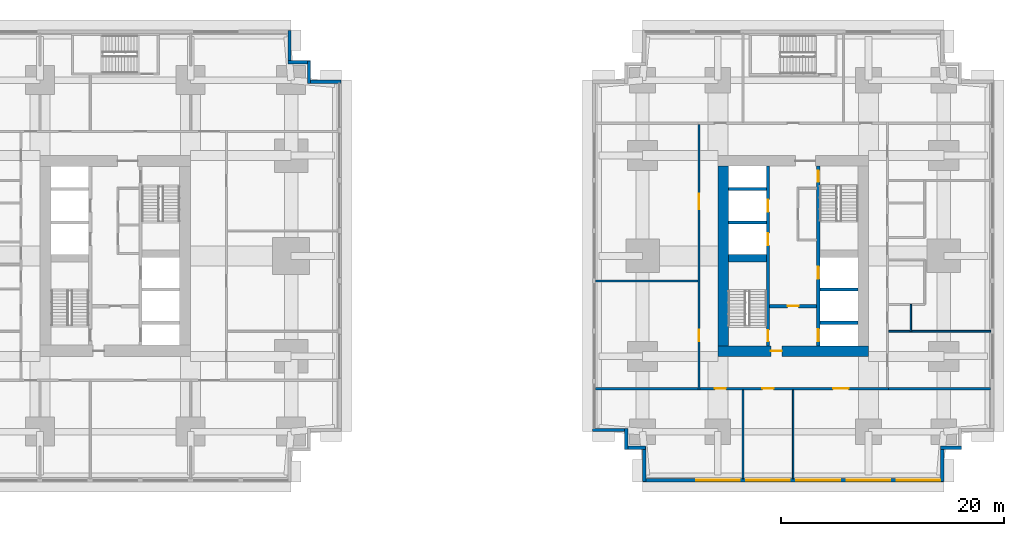
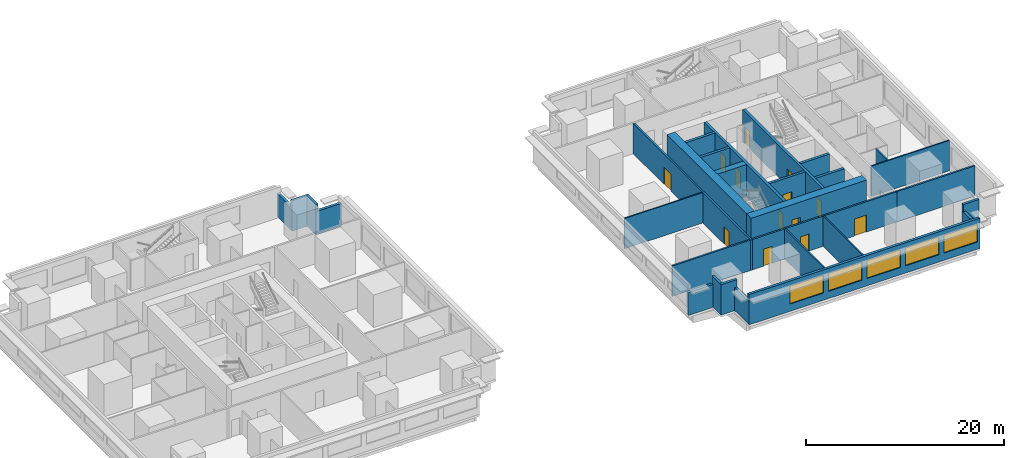
# One storey, part 6 of 11: 30 walls, 13 doors, 5 windows, 18 openings.
"""IFC4 building model written with IfcOpenShell, lengths in metres."""

from ifc_helpers import new_model, si_unit, direction, frame, frame_2d, origin, place, context, subcontext, project, spatial, rectangle, extrude, material, layer, layer_set, type_object, element, fill, save


model = new_model("IFC4")

# Units and contexts
model_context = context("Model", 3, precision=1e-05, world=origin(), true_north=direction((0.0, 1.0)))
body_context = subcontext(model_context, "Body", "Model", "MODEL_VIEW")
ifc_project = project(units=[si_unit("LENGTHUNIT", "METRE"), si_unit("AREAUNIT", "SQUARE_METRE"), si_unit("VOLUMEUNIT", "CUBIC_METRE"), si_unit("PLANEANGLEUNIT", "RADIAN"), si_unit("MASSUNIT", "GRAM", prefix="KILO")], contexts=[model_context])

# Site, building, storey
site_placement = place(None, origin())
site = spatial("IfcSite", under=ifc_project, at=site_placement, CompositionType="ELEMENT")
building_placement = place(site_placement, origin())
building = spatial("IfcBuilding", under=site, at=building_placement, Name="Namib Vertical Campus", CompositionType="ELEMENT")
storey_placement = place(building_placement, frame((0.0, 0.0, 37.0)))
storey = spatial("IfcBuildingStorey", under=building, at=storey_placement, Name="L08", CompositionType="ELEMENT", Elevation=37.0)

# Wall, openings, doors
ifc_material_1 = material(Name="Concrete C60/75", Category="concrete")
ifc_layer_1 = layer(ifc_material_1, 0.300048828125)
ifc_layer_set_1 = layer_set([ifc_layer_1], Name="Concrete C60/75")
wall_type_1 = type_object("IfcWallType", Name="Core inner wall 300", PredefinedType="SHEAR", material=ifc_layer_set_1)
wall_1_placement = place(storey_placement, frame((78.75, 12.199951171875, 0.0), z_axis=(0.0, 0.0, 1.0), x_axis=(0.0, 1.0, 0.0)))
wall_1 = element("IfcWall", 1, at=wall_1_placement, inside=storey, type_object=wall_type_1, Name="Core inner wall B L08 W1", PredefinedType="SHEAR", context=body_context, shape_type="SweptSolid", body=[
    extrude(rectangle(XDim=16.10009765625, YDim=0.300048828125, at=frame_2d((8.050048828125, 0.0))), origin(), (0.0, 0.0, 1.0), 4.0),
])
opening_1_placement = place(wall_1_placement, frame((0.39990234375, 0.0, 0.0)))
opening_1 = element("IfcOpeningElement", 2, at=opening_1_placement, cuts=wall_1, Name="Opening FD1", PredefinedType="OPENING", context=body_context, shape_type="SweptSolid", body=[
    extrude(rectangle(XDim=1.0, YDim=2.10009765625, at=frame_2d((0.5, 1.050048828125))), frame((0.0, 0.159912109375, 0.0), z_axis=(0.0, -1.0, 0.0), x_axis=(1.0, 0.0, 0.0)), (0.0, 0.0, 1.0), 0.320068359375),
])
opening_2_placement = place(wall_1_placement, frame((9.0, 0.0, 0.0)))
opening_2 = element("IfcOpeningElement", 3, at=opening_2_placement, cuts=wall_1, Name="Opening LD1", PredefinedType="OPENING", context=body_context, shape_type="SweptSolid", body=[
    extrude(rectangle(XDim=1.10009765625, YDim=2.10009765625, at=frame_2d((0.550048828125, 1.050048828125))), frame((0.0, 0.159912109375, 0.0), z_axis=(0.0, -1.0, 0.0), x_axis=(1.0, 0.0, 0.0)), (0.0, 0.0, 1.0), 0.320068359375),
])
opening_3_placement = place(wall_1_placement, frame((12.0, 0.0, 0.0)))
opening_3 = element("IfcOpeningElement", 4, at=opening_3_placement, cuts=wall_1, Name="Opening LD1", PredefinedType="OPENING", context=body_context, shape_type="SweptSolid", body=[
    extrude(rectangle(XDim=1.10009765625, YDim=2.10009765625, at=frame_2d((0.550048828125, 1.050048828125))), frame((0.0, 0.159912109375, 0.0), z_axis=(0.0, -1.0, 0.0), x_axis=(1.0, 0.0, 0.0)), (0.0, 0.0, 1.0), 0.320068359375),
])
ifc_material_2 = material(Name="Steel fire door", Category="steel")
door_type_1 = type_object("IfcDoorType", Name="Fire door 1000x2100", OperationType="SINGLE_SWING_RIGHT", PredefinedType="DOOR", material=ifc_material_2)
door_1_placement = place(opening_1_placement, origin())
door_1 = element("IfcDoor", 5, at=door_1_placement, inside=storey, type_object=door_type_1, Name="Stair door FD1 B L08 S1", OperationType="SINGLE_SWING_LEFT", OverallHeight=2.10009765625, OverallWidth=1.0, PredefinedType="DOOR", context=body_context, shape_type="SweptSolid", body=[
    extrude(rectangle(XDim=1.0, YDim=2.10009765625, at=frame_2d((0.5, 1.050048828125))), frame((0.0, 0.02490234375, 0.0), z_axis=(0.0, -1.0, 0.0), x_axis=(1.0, 0.0, 0.0)), (0.0, 0.0, 1.0), 0.050048828125),
])
fill(opening_1, door_1)
ifc_material_3 = material(Name="Stainless steel lift door", Category="steel")
door_type_2 = type_object("IfcDoorType", Name="Lift landing door 1100x2100", OperationType="DOUBLE_DOOR_SLIDING", PredefinedType="DOOR", material=ifc_material_3)
door_2_placement = place(opening_2_placement, origin())
door_2 = element("IfcDoor", 6, at=door_2_placement, inside=storey, type_object=door_type_2, Name="Lift landing door LD1 B-P1 L08", OperationType="DOUBLE_DOOR_SLIDING", OverallHeight=2.10009765625, OverallWidth=1.10009765625, PredefinedType="DOOR", context=body_context, shape_type="SweptSolid", body=[
    extrude(rectangle(XDim=1.10009765625, YDim=2.10009765625, at=frame_2d((0.550048828125, 1.050048828125))), frame((0.0, 0.02490234375, 0.0), z_axis=(0.0, -1.0, 0.0), x_axis=(1.0, 0.0, 0.0)), (0.0, 0.0, 1.0), 0.050048828125),
])
fill(opening_2, door_2)
door_3_placement = place(opening_3_placement, origin())
door_3 = element("IfcDoor", 7, at=door_3_placement, inside=storey, type_object=door_type_2, Name="Lift landing door LD1 B-P2 L08", OperationType="DOUBLE_DOOR_SLIDING", OverallHeight=2.10009765625, OverallWidth=1.10009765625, PredefinedType="DOOR", context=body_context, shape_type="SweptSolid", body=[
    extrude(rectangle(XDim=1.10009765625, YDim=2.10009765625, at=frame_2d((0.550048828125, 1.050048828125))), frame((0.0, 0.02490234375, 0.0), z_axis=(0.0, -1.0, 0.0), x_axis=(1.0, 0.0, 0.0)), (0.0, 0.0, 1.0), 0.050048828125),
])
fill(opening_3, door_3)

wall_2_placement = place(storey_placement, frame((83.25, 12.199951171875, 0.0), z_axis=(0.0, 0.0, 1.0), x_axis=(0.0, 1.0, 0.0)))
wall_2 = element("IfcWall", 8, at=wall_2_placement, inside=storey, type_object=wall_type_1, Name="Core inner wall B L08 W2", PredefinedType="SHEAR", context=body_context, shape_type="SweptSolid", body=[
    extrude(rectangle(XDim=16.10009765625, YDim=0.300048828125, at=frame_2d((8.050048828125, 0.0))), origin(), (0.0, 0.0, 1.0), 4.0),
])
opening_4_placement = place(wall_2_placement, frame((14.699951171875, 0.0, 0.0)))
opening_4 = element("IfcOpeningElement", 9, at=opening_4_placement, cuts=wall_2, Name="Opening FD1", PredefinedType="OPENING", context=body_context, shape_type="SweptSolid", body=[
    extrude(rectangle(XDim=1.0, YDim=2.10009765625, at=frame_2d((0.5, 1.050048828125))), frame((0.0, 0.159912109375, 0.0), z_axis=(0.0, -1.0, 0.0), x_axis=(1.0, 0.0, 0.0)), (0.0, 0.0, 1.0), 0.320068359375),
])
opening_5_placement = place(wall_2_placement, frame((0.39990234375, 0.0, 0.0)))
opening_5 = element("IfcOpeningElement", 10, at=opening_5_placement, cuts=wall_2, Name="Opening LD1", PredefinedType="OPENING", context=body_context, shape_type="SweptSolid", body=[
    extrude(rectangle(XDim=1.10009765625, YDim=2.10009765625, at=frame_2d((0.550048828125, 1.050048828125))), frame((0.0, 0.159912109375, 0.0), z_axis=(0.0, -1.0, 0.0), x_axis=(1.0, 0.0, 0.0)), (0.0, 0.0, 1.0), 0.320068359375),
])
opening_6_placement = place(wall_2_placement, frame((6.0, 0.0, 0.0)))
opening_6 = element("IfcOpeningElement", 11, at=opening_6_placement, cuts=wall_2, Name="Opening LD1", PredefinedType="OPENING", context=body_context, shape_type="SweptSolid", body=[
    extrude(rectangle(XDim=1.10009765625, YDim=2.10009765625, at=frame_2d((0.550048828125, 1.050048828125))), frame((0.0, 0.159912109375, 0.0), z_axis=(0.0, -1.0, 0.0), x_axis=(1.0, 0.0, 0.0)), (0.0, 0.0, 1.0), 0.320068359375),
])
door_4_placement = place(opening_4_placement, frame((1.0, 0.0, 0.0), z_axis=(0.0, 0.0, 1.0), x_axis=(-1.0, 0.0, 0.0)))
door_4 = element("IfcDoor", 12, at=door_4_placement, inside=storey, type_object=door_type_1, Name="Stair door FD1 B L08 S2", OperationType="SINGLE_SWING_LEFT", OverallHeight=2.10009765625, OverallWidth=1.0, PredefinedType="DOOR", context=body_context, shape_type="SweptSolid", body=[
    extrude(rectangle(XDim=1.0, YDim=2.10009765625, at=frame_2d((0.5, 1.050048828125))), frame((0.0, 0.02490234375, 0.0), z_axis=(0.0, -1.0, 0.0), x_axis=(1.0, 0.0, 0.0)), (0.0, 0.0, 1.0), 0.050048828125),
])
fill(opening_4, door_4)
door_5_placement = place(opening_5_placement, origin())
door_5 = element("IfcDoor", 13, at=door_5_placement, inside=storey, type_object=door_type_2, Name="Lift landing door LD1 B-FL1 L08", OperationType="DOUBLE_DOOR_SLIDING", OverallHeight=2.10009765625, OverallWidth=1.10009765625, PredefinedType="DOOR", context=body_context, shape_type="SweptSolid", body=[
    extrude(rectangle(XDim=1.10009765625, YDim=2.10009765625, at=frame_2d((0.550048828125, 1.050048828125))), frame((0.0, 0.02490234375, 0.0), z_axis=(0.0, -1.0, 0.0), x_axis=(1.0, 0.0, 0.0)), (0.0, 0.0, 1.0), 0.050048828125),
])
fill(opening_5, door_5)
door_6_placement = place(opening_6_placement, origin())
door_6 = element("IfcDoor", 14, at=door_6_placement, inside=storey, type_object=door_type_2, Name="Lift landing door LD1 B-P5 L08", OperationType="DOUBLE_DOOR_SLIDING", OverallHeight=2.10009765625, OverallWidth=1.10009765625, PredefinedType="DOOR", context=body_context, shape_type="SweptSolid", body=[
    extrude(rectangle(XDim=1.10009765625, YDim=2.10009765625, at=frame_2d((0.550048828125, 1.050048828125))), frame((0.0, 0.02490234375, 0.0), z_axis=(0.0, -1.0, 0.0), x_axis=(1.0, 0.0, 0.0)), (0.0, 0.0, 1.0), 0.050048828125),
])
fill(opening_6, door_6)

# Wall, opening, door
wall_3_placement = place(storey_placement, frame((78.89990234375, 15.75, 0.0), z_axis=(0.0, 0.0, 1.0), x_axis=(1.0, 0.0, 0.0)))
wall_3 = element("IfcWall", 15, at=wall_3_placement, inside=storey, type_object=wall_type_1, Name="Core inner wall B L08 W4", PredefinedType="SHEAR", context=body_context, shape_type="SweptSolid", body=[
    extrude(rectangle(XDim=4.2001953125, YDim=0.300048828125, at=frame_2d((2.10009765625, 0.0))), origin(), (0.0, 0.0, 1.0), 4.0),
])
opening_7_placement = place(wall_3_placement, frame((1.60009765625, 0.0, 0.0)))
opening_7 = element("IfcOpeningElement", 16, at=opening_7_placement, cuts=wall_3, Name="Opening FD5", PredefinedType="OPENING", context=body_context, shape_type="SweptSolid", body=[
    extrude(rectangle(XDim=1.0, YDim=2.10009765625, at=frame_2d((0.5, 1.050048828125))), frame((0.0, 0.159912109375, 0.0), z_axis=(0.0, -1.0, 0.0), x_axis=(1.0, 0.0, 0.0)), (0.0, 0.0, 1.0), 0.320068359375),
])
ifc_material_4 = material(Name="Steel fire door", Category="steel")
door_type_3 = type_object("IfcDoorType", Name="Fire door 1000x2100 120 min", OperationType="SINGLE_SWING_RIGHT", PredefinedType="DOOR", material=ifc_material_4)
door_7_placement = place(opening_7_placement, frame((1.0, 0.0, 0.0), z_axis=(0.0, 0.0, 1.0), x_axis=(-1.0, 0.0, 0.0)))
door_7 = element("IfcDoor", 17, at=door_7_placement, inside=storey, type_object=door_type_3, Name="Lobby door FD5 B L08", OperationType="SINGLE_SWING_RIGHT", OverallHeight=2.10009765625, OverallWidth=1.0, PredefinedType="DOOR", context=body_context, shape_type="SweptSolid", body=[
    extrude(rectangle(XDim=1.0, YDim=2.10009765625, at=frame_2d((0.5, 1.050048828125))), frame((0.0, 0.02490234375, 0.0), z_axis=(0.0, -1.0, 0.0), x_axis=(1.0, 0.0, 0.0)), (0.0, 0.0, 1.0), 0.050048828125),
])
fill(opening_7, door_7)

# Walls
for number, where, z_axis, x_axis, name in (
    (18, (83.39990234375, 14.25, 0.0), (0.0, 0.0, 1.0), (1.0, 0.0, 0.0), "Core inner wall B L08 W5"),
    (19, (83.39990234375, 17.25, 0.0), (0.0, 0.0, 1.0), (1.0, 0.0, 0.0), "Core inner wall B L08 W6"),
    (20, (75.199951171875, 23.25, 0.0), (0.0, 0.0, 1.0), (1.0, 0.0, 0.0), "Core inner wall B L08 W8"),
    (21, (75.199951171875, 26.25, 0.0), (0.0, 0.0, 1.0), (1.0, 0.0, 0.0), "Core inner wall B L08 W9"),
):
    element("IfcWall", number, at=place(storey_placement, frame(where, z_axis=z_axis, x_axis=x_axis)), inside=storey, type_object=wall_type_1, Name=name, PredefinedType="SHEAR", context=body_context, shape_type="SweptSolid", body=[
        extrude(rectangle(XDim=3.400146484375, YDim=0.300048828125, at=frame_2d((1.7001953125, 0.0))), origin(), (0.0, 0.0, 1.0), 4.0),
    ])
ifc_material_5 = material(Name="Concrete C60/75", Category="concrete")
ifc_layer_2 = layer(ifc_material_5, 0.699951171875)
ifc_layer_set_2 = layer_set([ifc_layer_2], Name="Concrete C60/75")
wall_type_2 = type_object("IfcWallType", Name="Core shear wall 700", PredefinedType="SHEAR", material=ifc_layer_set_2)
wall_4_placement = place(storey_placement, frame((75.199951171875, 20.050048828125, 0.0), z_axis=(0.0, 0.0, 1.0), x_axis=(1.0, 0.0, 0.0)))
element("IfcWall", 22, at=wall_4_placement, inside=storey, type_object=wall_type_2, Name="Core shear wall B L08 W3", PredefinedType="SHEAR", context=body_context, shape_type="SweptSolid", body=[
    extrude(rectangle(XDim=3.400146484375, YDim=0.699951171875, at=frame_2d((1.7001953125, 0.0))), origin(), (0.0, 0.0, 1.0), 4.0),
])

# Wall, opening, door
ifc_material_6 = material(Name="Concrete C60/75", Category="concrete")
ifc_layer_3 = layer(ifc_material_6, 0.949951171875)
ifc_layer_set_3 = layer_set([ifc_layer_3], Name="Concrete C60/75")
wall_type_3 = type_object("IfcWallType", Name="Core wall 950", PredefinedType="SHEAR", material=ifc_layer_set_3)
wall_5_placement = place(storey_placement, frame((74.25, 11.72509765625, 0.0), z_axis=(0.0, 0.0, 1.0), x_axis=(1.0, 0.0, 0.0)))
wall_5 = element("IfcWall", 23, at=wall_5_placement, inside=storey, type_object=wall_type_3, Name="Core wall B L08 1", PredefinedType="SHEAR", context=body_context, shape_type="SweptSolid", body=[
    extrude(rectangle(XDim=13.5, YDim=0.949951171875, at=frame_2d((6.75, 0.0))), origin(), (0.0, 0.0, 1.0), 4.0),
])
opening_8_placement = place(wall_5_placement, frame((4.75, 0.0, 0.0)))
opening_8 = element("IfcOpeningElement", 24, at=opening_8_placement, cuts=wall_5, Name="Opening FD5", PredefinedType="OPENING", context=body_context, shape_type="SweptSolid", body=[
    extrude(rectangle(XDim=1.0, YDim=2.10009765625, at=frame_2d((0.5, 1.050048828125))), frame((0.0, 0.48486328125, 0.0), z_axis=(0.0, -1.0, 0.0), x_axis=(1.0, 0.0, 0.0)), (0.0, 0.0, 1.0), 0.969970703125),
])
door_8_placement = place(opening_8_placement, origin())
door_8 = element("IfcDoor", 25, at=door_8_placement, inside=storey, type_object=door_type_3, Name="Firefighting lobby door FD5 B L08", OperationType="SINGLE_SWING_LEFT", OverallHeight=2.10009765625, OverallWidth=1.0, PredefinedType="DOOR", context=body_context, shape_type="SweptSolid", body=[
    extrude(rectangle(XDim=1.0, YDim=2.10009765625, at=frame_2d((0.5, 1.050048828125))), frame((0.0, 0.02490234375, 0.0), z_axis=(0.0, -1.0, 0.0), x_axis=(1.0, 0.0, 0.0)), (0.0, 0.0, 1.0), 0.050048828125),
])
fill(opening_8, door_8)

# Wall
wall_6_placement = place(storey_placement, frame((74.72509765625, 28.300048828125, 0.0), z_axis=(0.0, 0.0, 1.0), x_axis=(0.0, -1.0, 0.0)))
element("IfcWall", 26, at=wall_6_placement, inside=storey, type_object=wall_type_3, Name="Core wall B L08 4", PredefinedType="SHEAR", context=body_context, shape_type="SweptSolid", body=[
    extrude(rectangle(XDim=16.10009765625, YDim=0.949951171875, at=frame_2d((8.050048828125, 0.0))), origin(), (0.0, 0.0, 1.0), 4.0),
])

# Wall, openings, doors
ifc_material_7 = material(Name="Concrete masonry", Category="masonry")
ifc_layer_4 = layer(ifc_material_7, 0.199951171875)
ifc_layer_set_4 = layer_set([ifc_layer_4], Name="Corridor wall 200")
wall_type_4 = type_object("IfcWallType", Name="Corridor wall 200", PredefinedType="SOLIDWALL", material=ifc_layer_set_4)
wall_7_placement = place(storey_placement, frame((72.64990234375, 8.35009765625, 0.0), z_axis=(0.0, 0.0, 1.0), x_axis=(1.0, 0.0, 0.0)))
wall_7 = element("IfcWall", 27, at=wall_7_placement, inside=storey, type_object=wall_type_4, Name="Corridor wall B L08 CS", PredefinedType="SOLIDWALL", context=body_context, shape_type="SweptSolid", body=[
    extrude(rectangle(XDim=16.900146484375, YDim=0.199951171875, at=frame_2d((8.4501953125, 0.0))), origin(), (0.0, 0.0, 1.0), 3.75),
])
opening_9_placement = place(wall_7_placement, frame((1.324951171875, 0.0, 0.0)))
opening_9 = element("IfcOpeningElement", 28, at=opening_9_placement, cuts=wall_7, Name="Opening CD1", PredefinedType="OPENING", context=body_context, shape_type="SweptSolid", body=[
    extrude(rectangle(XDim=1.0, YDim=2.10009765625, at=frame_2d((0.5, 1.050048828125))), frame((0.0, 0.10986328125, 0.0), z_axis=(0.0, -1.0, 0.0), x_axis=(1.0, 0.0, 0.0)), (0.0, 0.0, 1.0), 0.219970703125),
])
opening_10_placement = place(wall_7_placement, frame((5.60009765625, 0.0, 0.0)))
opening_10 = element("IfcOpeningElement", 29, at=opening_10_placement, cuts=wall_7, Name="Opening CD1", PredefinedType="OPENING", context=body_context, shape_type="SweptSolid", body=[
    extrude(rectangle(XDim=1.0, YDim=2.10009765625, at=frame_2d((0.5, 1.050048828125))), frame((0.0, 0.10986328125, 0.0), z_axis=(0.0, -1.0, 0.0), x_axis=(1.0, 0.0, 0.0)), (0.0, 0.0, 1.0), 0.219970703125),
])
opening_11_placement = place(wall_7_placement, frame((11.925048828125, 0.0, 0.0)))
opening_11 = element("IfcOpeningElement", 30, at=opening_11_placement, cuts=wall_7, Name="Opening LB1", PredefinedType="OPENING", context=body_context, shape_type="SweptSolid", body=[
    extrude(rectangle(XDim=1.39990234375, YDim=2.10009765625, at=frame_2d((0.699951171875, 1.050048828125))), frame((0.0, 0.10986328125, 0.0), z_axis=(0.0, -1.0, 0.0), x_axis=(1.0, 0.0, 0.0)), (0.0, 0.0, 1.0), 0.219970703125),
])
ifc_material_8 = material(Name="Timber fire door leaf", Category="wood")
door_type_4 = type_object("IfcDoorType", Name="Corridor door 1000x2100 20 min", OperationType="SINGLE_SWING_LEFT", PredefinedType="DOOR", material=ifc_material_8)
door_9_placement = place(opening_9_placement, frame((1.0, 0.0, 0.0), z_axis=(0.0, 0.0, 1.0), x_axis=(-1.0, 0.0, 0.0)))
door_9 = element("IfcDoor", 31, at=door_9_placement, inside=storey, type_object=door_type_4, Name="Door CD1 B08-01", OperationType="SINGLE_SWING_LEFT", OverallHeight=2.10009765625, OverallWidth=1.0, PredefinedType="DOOR", context=body_context, shape_type="SweptSolid", body=[
    extrude(rectangle(XDim=1.0, YDim=2.10009765625, at=frame_2d((0.5, 1.050048828125))), frame((0.0, 0.02490234375, 0.0), z_axis=(0.0, -1.0, 0.0), x_axis=(1.0, 0.0, 0.0)), (0.0, 0.0, 1.0), 0.050048828125),
])
fill(opening_9, door_9)
door_10_placement = place(opening_10_placement, frame((1.0, 0.0, 0.0), z_axis=(0.0, 0.0, 1.0), x_axis=(-1.0, 0.0, 0.0)))
door_10 = element("IfcDoor", 32, at=door_10_placement, inside=storey, type_object=door_type_4, Name="Door CD1 B08-02", OperationType="SINGLE_SWING_RIGHT", OverallHeight=2.10009765625, OverallWidth=1.0, PredefinedType="DOOR", context=body_context, shape_type="SweptSolid", body=[
    extrude(rectangle(XDim=1.0, YDim=2.10009765625, at=frame_2d((0.5, 1.050048828125))), frame((0.0, 0.02490234375, 0.0), z_axis=(0.0, -1.0, 0.0), x_axis=(1.0, 0.0, 0.0)), (0.0, 0.0, 1.0), 0.050048828125),
])
fill(opening_10, door_10)
ifc_material_9 = material(Name="Timber fire door leaf", Category="wood")
door_type_5 = type_object("IfcDoorType", Name="Laboratory door 1400x2100 leaf and a half", OperationType="DOUBLE_DOOR_SINGLE_SWING", PredefinedType="DOOR", material=ifc_material_9)
door_11_placement = place(opening_11_placement, frame((1.39990234375, 0.0, 0.0), z_axis=(0.0, 0.0, 1.0), x_axis=(-1.0, 0.0, 0.0)))
door_11 = element("IfcDoor", 33, at=door_11_placement, inside=storey, type_object=door_type_5, Name="Door LB1 B08-03", OperationType="DOUBLE_DOOR_SINGLE_SWING", OverallHeight=2.10009765625, OverallWidth=1.39990234375, PredefinedType="DOOR", context=body_context, shape_type="SweptSolid", body=[
    extrude(rectangle(XDim=1.39990234375, YDim=2.10009765625, at=frame_2d((0.699951171875, 1.050048828125))), frame((0.0, 0.02490234375, 0.0), z_axis=(0.0, -1.0, 0.0), x_axis=(1.0, 0.0, 0.0)), (0.0, 0.0, 1.0), 0.050048828125),
])
fill(opening_11, door_11)

wall_8_placement = place(storey_placement, frame((72.550048828125, 32.050048828125, 0.0), z_axis=(0.0, 0.0, 1.0), x_axis=(0.0, -1.0, 0.0)))
wall_8 = element("IfcWall", 34, at=wall_8_placement, inside=storey, type_object=wall_type_4, Name="Corridor wall B L08 CW", PredefinedType="SOLIDWALL", context=body_context, shape_type="SweptSolid", body=[
    extrude(rectangle(XDim=23.800048828125, YDim=0.199951171875, at=frame_2d((11.89990234375, 0.0))), origin(), (0.0, 0.0, 1.0), 3.75),
])
opening_12_placement = place(wall_8_placement, frame((18.425048828125, 0.0, 0.0)))
opening_12 = element("IfcOpeningElement", 35, at=opening_12_placement, cuts=wall_8, Name="Opening CD1", PredefinedType="OPENING", context=body_context, shape_type="SweptSolid", body=[
    extrude(rectangle(XDim=1.0, YDim=2.10009765625, at=frame_2d((0.5, 1.050048828125))), frame((0.0, 0.10986328125, 0.0), z_axis=(0.0, -1.0, 0.0), x_axis=(1.0, 0.0, 0.0)), (0.0, 0.0, 1.0), 0.219970703125),
])
opening_13_placement = place(wall_8_placement, frame((6.22509765625, 0.0, 0.0)))
opening_13 = element("IfcOpeningElement", 36, at=opening_13_placement, cuts=wall_8, Name="Opening LB1", PredefinedType="OPENING", context=body_context, shape_type="SweptSolid", body=[
    extrude(rectangle(XDim=1.39990234375, YDim=2.10009765625, at=frame_2d((0.699951171875, 1.050048828125))), frame((0.0, 0.10986328125, 0.0), z_axis=(0.0, -1.0, 0.0), x_axis=(1.0, 0.0, 0.0)), (0.0, 0.0, 1.0), 0.219970703125),
])
door_12_placement = place(opening_12_placement, frame((1.0, 0.0, 0.0), z_axis=(0.0, 0.0, 1.0), x_axis=(-1.0, 0.0, 0.0)))
door_12 = element("IfcDoor", 37, at=door_12_placement, inside=storey, type_object=door_type_4, Name="Door CD1 B08-14", OperationType="SINGLE_SWING_RIGHT", OverallHeight=2.10009765625, OverallWidth=1.0, PredefinedType="DOOR", context=body_context, shape_type="SweptSolid", body=[
    extrude(rectangle(XDim=1.0, YDim=2.10009765625, at=frame_2d((0.5, 1.050048828125))), frame((0.0, 0.02490234375, 0.0), z_axis=(0.0, -1.0, 0.0), x_axis=(1.0, 0.0, 0.0)), (0.0, 0.0, 1.0), 0.050048828125),
])
fill(opening_12, door_12)
door_13_placement = place(opening_13_placement, frame((1.39990234375, 0.0, 0.0), z_axis=(0.0, 0.0, 1.0), x_axis=(-1.0, 0.0, 0.0)))
door_13 = element("IfcDoor", 38, at=door_13_placement, inside=storey, type_object=door_type_5, Name="Door LB1 B08-15", OperationType="DOUBLE_DOOR_SINGLE_SWING", OverallHeight=2.10009765625, OverallWidth=1.39990234375, PredefinedType="DOOR", context=body_context, shape_type="SweptSolid", body=[
    extrude(rectangle(XDim=1.39990234375, YDim=2.10009765625, at=frame_2d((0.699951171875, 1.050048828125))), frame((0.0, 0.02490234375, 0.0), z_axis=(0.0, -1.0, 0.0), x_axis=(1.0, 0.0, 0.0)), (0.0, 0.0, 1.0), 0.050048828125),
])
fill(opening_13, door_13)

# Walls
for number, where, z_axis, x_axis, name in (
    (39, (63.300048828125, 8.35009765625, 0.0), (0.0, 0.0, 1.0), (1.0, 0.0, 0.0), "Partition B L08 BSW"),
    (40, (89.550048828125, 8.35009765625, 0.0), (0.0, 0.0, 1.0), (1.0, 0.0, 0.0), "Partition B L08 BSE"),
):
    element("IfcWall", number, at=place(storey_placement, frame(where, z_axis=z_axis, x_axis=x_axis)), inside=storey, type_object=wall_type_4, Name=name, PredefinedType="SOLIDWALL", context=body_context, shape_type="SweptSolid", body=[
        extrude(rectangle(XDim=9.14990234375, YDim=0.199951171875, at=frame_2d((4.574951171875, 0.0))), origin(), (0.0, 0.0, 1.0), 3.75),
    ])
ifc_material_10 = material(Name="Concrete C40/50", Category="concrete")
ifc_layer_5 = layer(ifc_material_10, 0.300048828125)
ifc_layer_set_5 = layer_set([ifc_layer_5], Name="Concrete C40/50")
wall_type_5 = type_object("IfcWallType", Name="External wall 300 board-marked concrete", PredefinedType="STANDARD", material=ifc_layer_set_5)
wall_9_placement = place(storey_placement, frame((40.47998046875, 35.85009765625, 0.0), z_axis=(0.0, 0.0, 1.0), x_axis=(-1.0, 0.0, 0.0)))
element("IfcWall", 41, at=wall_9_placement, inside=storey, type_object=wall_type_5, Name="External wall L08 F07", PredefinedType="STANDARD", context=body_context, shape_type="SweptSolid", body=[
    extrude(rectangle(XDim=3.010009765625, YDim=0.300048828125, at=frame_2d((1.5048828125, 0.0))), origin(), (0.0, 0.0, 1.0), 2.85009765625),
])
for number, where, z_axis, x_axis, name in (
    (42, (37.60009765625, 35.719970703125, 0.0), (0.0, 0.0, 1.0), (0.0, 1.0, 0.0), "External wall L08 F08"),
    (43, (37.72998046875, 37.60009765625, 0.0), (0.0, 0.0, 1.0), (-1.0, 0.0, 0.0), "External wall L08 F09"),
):
    element("IfcWall", number, at=place(storey_placement, frame(where, z_axis=z_axis, x_axis=x_axis)), inside=storey, type_object=wall_type_5, Name=name, PredefinedType="STANDARD", context=body_context, shape_type="SweptSolid", body=[
        extrude(rectangle(XDim=2.010009765625, YDim=0.300048828125, at=frame_2d((1.0048828125, 0.0))), origin(), (0.0, 0.0, 1.0), 3.75),
    ])
wall_10_placement = place(storey_placement, frame((35.85009765625, 37.469970703125, 0.0), z_axis=(0.0, 0.0, 1.0), x_axis=(0.0, 1.0, 0.0)))
element("IfcWall", 44, at=wall_10_placement, inside=storey, type_object=wall_type_5, Name="External wall L08 F10", PredefinedType="STANDARD", context=body_context, shape_type="SweptSolid", body=[
    extrude(rectangle(XDim=3.010009765625, YDim=0.300048828125, at=frame_2d((1.5048828125, 0.0))), origin(), (0.0, 0.0, 1.0), 2.85009765625),
])

# Wall, openings, windows
wall_11_placement = place(storey_placement, frame((67.52001953125, 0.14990234375, 0.0), z_axis=(0.0, 0.0, 1.0), x_axis=(1.0, 0.0, 0.0)))
wall_11 = element("IfcWall", 45, at=wall_11_placement, inside=storey, type_object=wall_type_5, Name="External wall L08 F01", PredefinedType="STANDARD", context=body_context, shape_type="SweptSolid", body=[
    extrude(rectangle(XDim=26.9599609375, YDim=0.300048828125, at=frame_2d((13.47998046875, 0.0))), origin(), (0.0, 0.0, 1.0), 3.75),
])
opening_14_placement = place(wall_11_placement, frame((4.780029296875, 0.0, 0.89990234375)))
opening_14 = element("IfcOpeningElement", 46, at=opening_14_placement, cuts=wall_11, Name="Opening W1", PredefinedType="OPENING", context=body_context, shape_type="SweptSolid", body=[
    extrude(rectangle(XDim=3.89990234375, YDim=2.199951171875, at=frame_2d((1.949951171875, 1.10009765625))), frame((0.0, 0.159912109375, 0.0), z_axis=(0.0, -1.0, 0.0), x_axis=(1.0, 0.0, 0.0)), (0.0, 0.0, 1.0), 0.320068359375),
])
opening_15_placement = place(wall_11_placement, frame((9.280029296875, 0.0, 0.89990234375)))
opening_15 = element("IfcOpeningElement", 47, at=opening_15_placement, cuts=wall_11, Name="Opening W1", PredefinedType="OPENING", context=body_context, shape_type="SweptSolid", body=[
    extrude(rectangle(XDim=3.89990234375, YDim=2.199951171875, at=frame_2d((1.949951171875, 1.10009765625))), frame((0.0, 0.159912109375, 0.0), z_axis=(0.0, -1.0, 0.0), x_axis=(1.0, 0.0, 0.0)), (0.0, 0.0, 1.0), 0.320068359375),
])
opening_16_placement = place(wall_11_placement, frame((13.780029296875, 0.0, 0.89990234375)))
opening_16 = element("IfcOpeningElement", 48, at=opening_16_placement, cuts=wall_11, Name="Opening W1", PredefinedType="OPENING", context=body_context, shape_type="SweptSolid", body=[
    extrude(rectangle(XDim=3.89990234375, YDim=2.199951171875, at=frame_2d((1.949951171875, 1.10009765625))), frame((0.0, 0.159912109375, 0.0), z_axis=(0.0, -1.0, 0.0), x_axis=(1.0, 0.0, 0.0)), (0.0, 0.0, 1.0), 0.320068359375),
])
opening_17_placement = place(wall_11_placement, frame((18.280029296875, 0.0, 0.89990234375)))
opening_17 = element("IfcOpeningElement", 49, at=opening_17_placement, cuts=wall_11, Name="Opening W1", PredefinedType="OPENING", context=body_context, shape_type="SweptSolid", body=[
    extrude(rectangle(XDim=3.89990234375, YDim=2.199951171875, at=frame_2d((1.949951171875, 1.10009765625))), frame((0.0, 0.159912109375, 0.0), z_axis=(0.0, -1.0, 0.0), x_axis=(1.0, 0.0, 0.0)), (0.0, 0.0, 1.0), 0.320068359375),
])
opening_18_placement = place(wall_11_placement, frame((22.780029296875, 0.0, 0.89990234375)))
opening_18 = element("IfcOpeningElement", 50, at=opening_18_placement, cuts=wall_11, Name="Opening W1", PredefinedType="OPENING", context=body_context, shape_type="SweptSolid", body=[
    extrude(rectangle(XDim=3.89990234375, YDim=2.199951171875, at=frame_2d((1.949951171875, 1.10009765625))), frame((0.0, 0.159912109375, 0.0), z_axis=(0.0, -1.0, 0.0), x_axis=(1.0, 0.0, 0.0)), (0.0, 0.0, 1.0), 0.320068359375),
])
ifc_material_11 = material(Name="Dark tinted glass in black aluminium frame", Category="aluminium")
window_type = type_object("IfcWindowType", Name="Ribbon window 3900x2200", PartitioningType="SINGLE_PANEL", PredefinedType="WINDOW", material=ifc_material_11)
window_1_placement = place(opening_14_placement, origin())
window_1 = element("IfcWindow", 51, at=window_1_placement, inside=storey, type_object=window_type, Name="Window W1 L08 F01-2", OverallHeight=2.199951171875, OverallWidth=3.89990234375, PartitioningType="SINGLE_PANEL", PredefinedType="WINDOW", context=body_context, shape_type="SweptSolid", body=[
    extrude(rectangle(XDim=3.89990234375, YDim=2.199951171875, at=frame_2d((1.949951171875, 1.10009765625))), frame((0.0, 0.030029296875, 0.0), z_axis=(0.0, -1.0, 0.0), x_axis=(1.0, 0.0, 0.0)), (0.0, 0.0, 1.0), 0.06005859375),
])
fill(opening_14, window_1)
window_2_placement = place(opening_15_placement, origin())
window_2 = element("IfcWindow", 52, at=window_2_placement, inside=storey, type_object=window_type, Name="Window W1 L08 F01-3", OverallHeight=2.199951171875, OverallWidth=3.89990234375, PartitioningType="SINGLE_PANEL", PredefinedType="WINDOW", context=body_context, shape_type="SweptSolid", body=[
    extrude(rectangle(XDim=3.89990234375, YDim=2.199951171875, at=frame_2d((1.949951171875, 1.10009765625))), frame((0.0, 0.030029296875, 0.0), z_axis=(0.0, -1.0, 0.0), x_axis=(1.0, 0.0, 0.0)), (0.0, 0.0, 1.0), 0.06005859375),
])
fill(opening_15, window_2)
window_3_placement = place(opening_16_placement, origin())
window_3 = element("IfcWindow", 53, at=window_3_placement, inside=storey, type_object=window_type, Name="Window W1 L08 F01-4", OverallHeight=2.199951171875, OverallWidth=3.89990234375, PartitioningType="SINGLE_PANEL", PredefinedType="WINDOW", context=body_context, shape_type="SweptSolid", body=[
    extrude(rectangle(XDim=3.89990234375, YDim=2.199951171875, at=frame_2d((1.949951171875, 1.10009765625))), frame((0.0, 0.030029296875, 0.0), z_axis=(0.0, -1.0, 0.0), x_axis=(1.0, 0.0, 0.0)), (0.0, 0.0, 1.0), 0.06005859375),
])
fill(opening_16, window_3)
window_4_placement = place(opening_17_placement, origin())
window_4 = element("IfcWindow", 54, at=window_4_placement, inside=storey, type_object=window_type, Name="Window W1 L08 F01-5", OverallHeight=2.199951171875, OverallWidth=3.89990234375, PartitioningType="SINGLE_PANEL", PredefinedType="WINDOW", context=body_context, shape_type="SweptSolid", body=[
    extrude(rectangle(XDim=3.89990234375, YDim=2.199951171875, at=frame_2d((1.949951171875, 1.10009765625))), frame((0.0, 0.030029296875, 0.0), z_axis=(0.0, -1.0, 0.0), x_axis=(1.0, 0.0, 0.0)), (0.0, 0.0, 1.0), 0.06005859375),
])
fill(opening_17, window_4)
window_5_placement = place(opening_18_placement, origin())
window_5 = element("IfcWindow", 55, at=window_5_placement, inside=storey, type_object=window_type, Name="Window W1 L08 F01-6", OverallHeight=2.199951171875, OverallWidth=3.89990234375, PartitioningType="SINGLE_PANEL", PredefinedType="WINDOW", context=body_context, shape_type="SweptSolid", body=[
    extrude(rectangle(XDim=3.89990234375, YDim=2.199951171875, at=frame_2d((1.949951171875, 1.10009765625))), frame((0.0, 0.030029296875, 0.0), z_axis=(0.0, -1.0, 0.0), x_axis=(1.0, 0.0, 0.0)), (0.0, 0.0, 1.0), 0.06005859375),
])
fill(opening_18, window_5)

# Walls
wall_12_placement = place(storey_placement, frame((94.35009765625, 0.02001953125, 0.0), z_axis=(0.0, 0.0, 1.0), x_axis=(0.0, 1.0, 0.0)))
element("IfcWall", 56, at=wall_12_placement, inside=storey, type_object=wall_type_5, Name="External wall L08 F02", PredefinedType="STANDARD", context=body_context, shape_type="SweptSolid", body=[
    extrude(rectangle(XDim=3.159912109375, YDim=0.300048828125, at=frame_2d((1.580078125, 0.0))), origin(), (0.0, 0.0, 1.0), 2.85009765625),
])
wall_13_placement = place(storey_placement, frame((94.219970703125, 3.050048828125, 0.0), z_axis=(0.0, 0.0, 1.0), x_axis=(1.0, 0.0, 0.0)))
element("IfcWall", 57, at=wall_13_placement, inside=storey, type_object=wall_type_5, Name="External wall L08 F03", PredefinedType="STANDARD", context=body_context, shape_type="SweptSolid", body=[
    extrude(rectangle(XDim=1.860107421875, YDim=0.300048828125, at=frame_2d((0.93017578125, 0.0))), origin(), (0.0, 0.0, 1.0), 3.75),
])
wall_14_placement = place(storey_placement, frame((63.02001953125, 4.64990234375, 0.0), z_axis=(0.0, 0.0, 1.0), x_axis=(1.0, 0.0, 0.0)))
element("IfcWall", 58, at=wall_14_placement, inside=storey, type_object=wall_type_5, Name="External wall L08 F17", PredefinedType="STANDARD", context=body_context, shape_type="SweptSolid", body=[
    extrude(rectangle(XDim=3.159912109375, YDim=0.300048828125, at=frame_2d((1.580078125, 0.0))), origin(), (0.0, 0.0, 1.0), 2.85009765625),
])
for number, where, z_axis, x_axis, name in (
    (59, (66.050048828125, 4.780029296875, 0.0), (0.0, 0.0, 1.0), (0.0, -1.0, 0.0), "External wall L08 F18"),
    (60, (65.919921875, 3.050048828125, 0.0), (0.0, 0.0, 1.0), (1.0, 0.0, 0.0), "External wall L08 F19"),
):
    element("IfcWall", number, at=place(storey_placement, frame(where, z_axis=z_axis, x_axis=x_axis)), inside=storey, type_object=wall_type_5, Name=name, PredefinedType="STANDARD", context=body_context, shape_type="SweptSolid", body=[
        extrude(rectangle(XDim=1.860107421875, YDim=0.300048828125, at=frame_2d((0.93017578125, 0.0))), origin(), (0.0, 0.0, 1.0), 3.75),
    ])
wall_15_placement = place(storey_placement, frame((67.64990234375, 3.179931640625, 0.0), z_axis=(0.0, 0.0, 1.0), x_axis=(0.0, -1.0, 0.0)))
element("IfcWall", 61, at=wall_15_placement, inside=storey, type_object=wall_type_5, Name="External wall L08 F20", PredefinedType="STANDARD", context=body_context, shape_type="SweptSolid", body=[
    extrude(rectangle(XDim=3.159912109375, YDim=0.300048828125, at=frame_2d((1.580078125, 0.0))), origin(), (0.0, 0.0, 1.0), 2.85009765625),
])
ifc_material_12 = material(Name="Gypsum board on steel studs", Category="steel")
ifc_layer_6 = layer(ifc_material_12, 0.14990234375)
ifc_layer_set_6 = layer_set([ifc_layer_6], Name="Gypsum board on steel studs")
wall_type_6 = type_object("IfcWallType", Name="Partition 150", PredefinedType="PARTITIONING", material=ifc_layer_set_6)
for number, where, z_axis, x_axis, name in (
    (62, (76.5, 0.300048828125, 0.0), (0.0, 0.0, 1.0), (0.0, 1.0, 0.0), "Partition B L08 PS1"),
    (63, (81.0, 0.300048828125, 0.0), (0.0, 0.0, 1.0), (0.0, 1.0, 0.0), "Partition B L08 PS2"),
):
    element("IfcWall", number, at=place(storey_placement, frame(where, z_axis=z_axis, x_axis=x_axis)), inside=storey, type_object=wall_type_6, Name=name, PredefinedType="PARTITIONING", context=body_context, shape_type="SweptSolid", body=[
        extrude(rectangle(XDim=7.949951171875, YDim=0.14990234375, at=frame_2d((3.97509765625, 0.0))), origin(), (0.0, 0.0, 1.0), 3.75),
    ])
for number, where, z_axis, x_axis, name in (
    (64, (89.550048828125, 13.5, 0.0), (0.0, 0.0, 1.0), (1.0, 0.0, 0.0), "Partition B L08 PE1"),
    (65, (63.300048828125, 18.0, 0.0), (0.0, 0.0, 1.0), (1.0, 0.0, 0.0), "Partition B L08 PW1"),
):
    element("IfcWall", number, at=place(storey_placement, frame(where, z_axis=z_axis, x_axis=x_axis)), inside=storey, type_object=wall_type_6, Name=name, PredefinedType="PARTITIONING", context=body_context, shape_type="SweptSolid", body=[
        extrude(rectangle(XDim=9.14990234375, YDim=0.14990234375, at=frame_2d((4.574951171875, 0.0))), origin(), (0.0, 0.0, 1.0), 3.75),
    ])
wall_16_placement = place(storey_placement, frame((91.550048828125, 13.5, 0.0), z_axis=(0.0, 0.0, 1.0), x_axis=(0.0, 1.0, 0.0)))
element("IfcWall", 66, at=wall_16_placement, inside=storey, type_object=wall_type_6, Name="Partition B L08 WB1", PredefinedType="PARTITIONING", context=body_context, shape_type="SweptSolid", body=[
    extrude(rectangle(XDim=2.39990234375, YDim=0.14990234375, at=frame_2d((1.199951171875, 0.0))), origin(), (0.0, 0.0, 1.0), 3.75),
])

save(model, "model.ifc")
